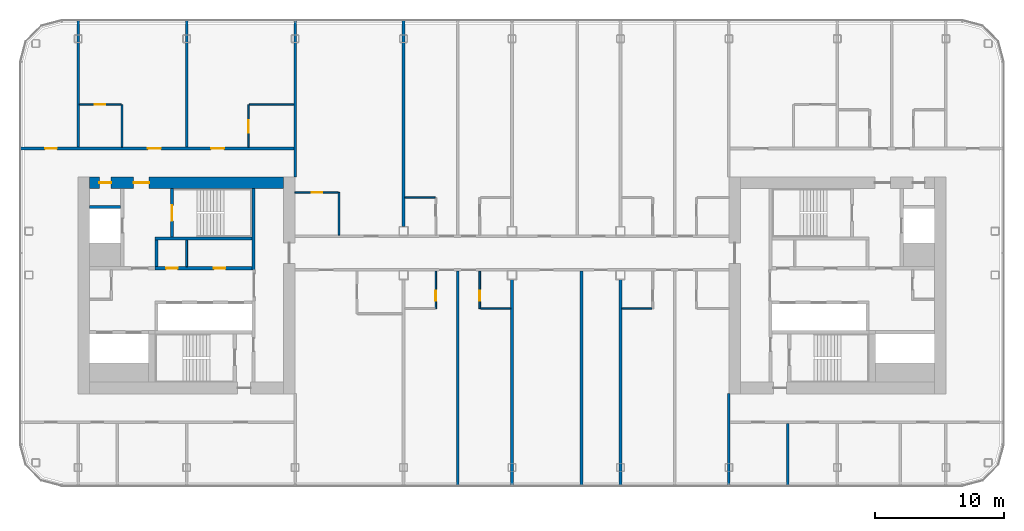
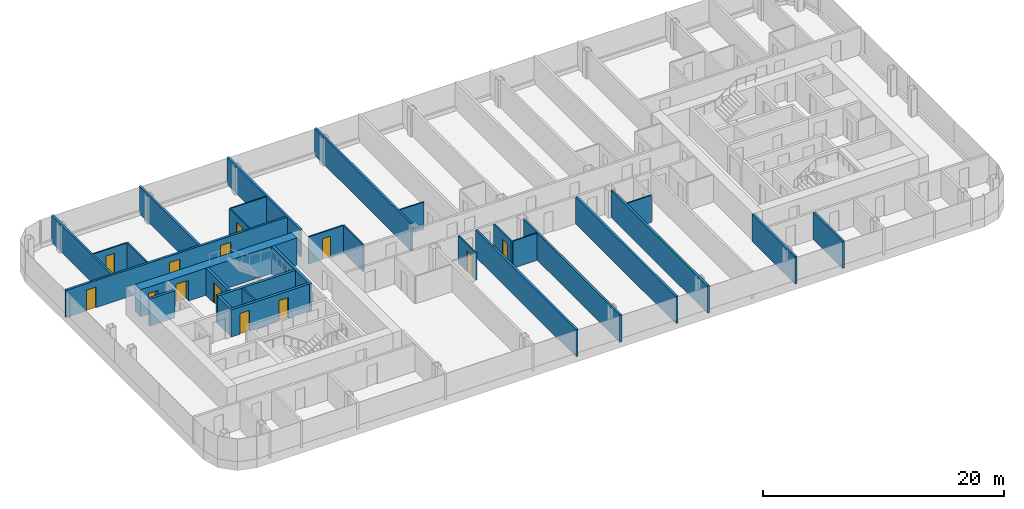
# One storey, part 14 of 26: 30 walls, 13 doors, 13 openings.
"""IFC4 building model written with IfcOpenShell, lengths in metres."""

from ifc_helpers import new_model, si_unit, direction, frame, frame_2d, origin, place, context, subcontext, project, spatial, rectangle, extrude, material, layer, layer_set, type_object, element, fill, save


model = new_model("IFC4")

# Units and contexts
model_context = context("Model", 3, precision=1e-05, world=origin(), true_north=direction((0.0, 1.0)))
body_context = subcontext(model_context, "Body", "Model", "MODEL_VIEW")
ifc_project = project(units=[si_unit("LENGTHUNIT", "METRE"), si_unit("AREAUNIT", "SQUARE_METRE"), si_unit("VOLUMEUNIT", "CUBIC_METRE"), si_unit("PLANEANGLEUNIT", "RADIAN"), si_unit("MASSUNIT", "GRAM", prefix="KILO")], contexts=[model_context])

# Site, building, storey
site_placement = place(None, origin())
site = spatial("IfcSite", under=ifc_project, at=site_placement, CompositionType="ELEMENT")
building_placement = place(site_placement, origin())
building = spatial("IfcBuilding", under=site, at=building_placement, Name="Hakoniwa Tower and Hamabe Station Hall", CompositionType="ELEMENT")
storey_placement = place(building_placement, frame((0.0, 0.0, 209.0)))
storey = spatial("IfcBuildingStorey", under=building, at=storey_placement, Name="L59", CompositionType="ELEMENT", Elevation=209.0)

# Walls
ifc_material_1 = material(Name="Gypsum board partition", Category="gypsum")
ifc_layer_1 = layer(ifc_material_1, 0.125)
ifc_layer_set_1 = layer_set([ifc_layer_1], Name="Bathroom Partition 125")
wall_type_1 = type_object("IfcWallType", Name="Bathroom Partition 125", PredefinedType="PARTITIONING", material=ifc_layer_set_1)
for number, where, z_axis, x_axis, name in (
    (1, (-2.4375, -1.800048828125, 0.0), (0.0, 0.0, 1.0), (1.0, 0.0, 0.0), "GW-L59-005"),
    (2, (8.5, -1.800048828125, 0.0), (0.0, 0.0, 1.0), (1.0, 0.0, 0.0), "GW-L59-006"),
):
    element("IfcWall", number, at=place(storey_placement, frame(where, z_axis=z_axis, x_axis=x_axis)), inside=storey, type_object=wall_type_1, Name=name, PredefinedType="PARTITIONING", context=body_context, shape_type="SweptSolid", body=[
        extrude(rectangle(XDim=2.33740234375, YDim=0.125, at=frame_2d((1.168701171875, 0.0))), origin(), (0.0, 0.0, 1.0), 2.75),
    ])
wall_1_placement = place(storey_placement, frame((-8.300048828125, 6.800048828125, 0.0), z_axis=(0.0, 0.0, 1.0), x_axis=(1.0, 0.0, 0.0)))
element("IfcWall", 3, at=wall_1_placement, inside=storey, type_object=wall_type_1, Name="GW-L59-010", PredefinedType="PARTITIONING", context=body_context, shape_type="SweptSolid", body=[
    extrude(rectangle(XDim=2.337646484375, YDim=0.125, at=frame_2d((1.1689453125, 0.0))), origin(), (0.0, 0.0, 1.0), 2.75),
])

# Wall, opening, door
wall_2_placement = place(storey_placement, frame((-16.81005859375, 7.199951171875, 0.0), z_axis=(0.0, 0.0, 1.0), x_axis=(1.0, 0.0, 0.0)))
wall_2 = element("IfcWall", 4, at=wall_2_placement, inside=storey, type_object=wall_type_1, Name="GW-L59-014", PredefinedType="PARTITIONING", context=body_context, shape_type="SweptSolid", body=[
    extrude(rectangle(XDim=3.34765625, YDim=0.125, at=frame_2d((1.673828125, 0.0))), origin(), (0.0, 0.0, 1.0), 2.75),
])
opening_1_placement = place(wall_2_placement, frame((1.31005859375, 0.0, 0.0)))
opening_1 = element("IfcOpeningElement", 5, at=opening_1_placement, cuts=wall_2, Name="Opening GD-G4C1-24", PredefinedType="OPENING", context=body_context, shape_type="SweptSolid", body=[
    extrude(rectangle(XDim=0.800048828125, YDim=2.10009765625, at=frame_2d((0.39990234375, 1.050048828125))), frame((0.0, 0.072509765625, 0.0), z_axis=(0.0, -1.0, 0.0), x_axis=(1.0, 0.0, 0.0)), (0.0, 0.0, 1.0), 0.14501953125),
])
ifc_material_2 = material(Name="Timber door leaf", Category="wood")
door_type_1 = type_object("IfcDoorType", Name="Bathroom Door 800", OperationType="SINGLE_SWING_LEFT", PredefinedType="DOOR", material=ifc_material_2)
door_1_placement = place(opening_1_placement, origin())
door_1 = element("IfcDoor", 6, at=door_1_placement, inside=storey, type_object=door_type_1, Name="Door GD-G4C1-24", OperationType="SINGLE_SWING_RIGHT", OverallHeight=2.10009765625, OverallWidth=0.800048828125, PredefinedType="DOOR", context=body_context, shape_type="SweptSolid", body=[
    extrude(rectangle(XDim=0.800048828125, YDim=2.10009765625, at=frame_2d((0.39990234375, 1.050048828125))), frame((0.0, 0.02490234375, 0.0), z_axis=(0.0, -1.0, 0.0), x_axis=(1.0, 0.0, 0.0)), (0.0, 0.0, 1.0), 0.050048828125),
])
fill(opening_1, door_1)

wall_3_placement = place(storey_placement, frame((-33.5, 14.0, 0.0), z_axis=(0.0, 0.0, 1.0), x_axis=(1.0, 0.0, 0.0)))
wall_3 = element("IfcWall", 7, at=wall_3_placement, inside=storey, type_object=wall_type_1, Name="GW-L59-019", PredefinedType="PARTITIONING", context=body_context, shape_type="SweptSolid", body=[
    extrude(rectangle(XDim=3.237548828125, YDim=0.125, at=frame_2d((1.61865234375, 0.0))), origin(), (0.0, 0.0, 1.0), 2.75),
])
opening_2_placement = place(wall_3_placement, frame((1.199951171875, 0.0, 0.0)))
opening_2 = element("IfcOpeningElement", 8, at=opening_2_placement, cuts=wall_3, Name="Opening GD-G4C1-32", PredefinedType="OPENING", context=body_context, shape_type="SweptSolid", body=[
    extrude(rectangle(XDim=0.800048828125, YDim=2.10009765625, at=frame_2d((0.39990234375, 1.050048828125))), frame((0.0, 0.072509765625, 0.0), z_axis=(0.0, -1.0, 0.0), x_axis=(1.0, 0.0, 0.0)), (0.0, 0.0, 1.0), 0.14501953125),
])
door_2_placement = place(opening_2_placement, origin())
door_2 = element("IfcDoor", 9, at=door_2_placement, inside=storey, type_object=door_type_1, Name="Door GD-G4C1-32", OperationType="SINGLE_SWING_LEFT", OverallHeight=2.10009765625, OverallWidth=0.800048828125, PredefinedType="DOOR", context=body_context, shape_type="SweptSolid", body=[
    extrude(rectangle(XDim=0.800048828125, YDim=2.10009765625, at=frame_2d((0.39990234375, 1.050048828125))), frame((0.0, 0.02490234375, 0.0), z_axis=(0.0, -1.0, 0.0), x_axis=(1.0, 0.0, 0.0)), (0.0, 0.0, 1.0), 0.050048828125),
])
fill(opening_2, door_2)

# Walls
wall_4_placement = place(storey_placement, frame((-20.33740234375, 14.0, 0.0), z_axis=(0.0, 0.0, 1.0), x_axis=(1.0, 0.0, 0.0)))
element("IfcWall", 10, at=wall_4_placement, inside=storey, type_object=wall_type_1, Name="GW-L59-020", PredefinedType="PARTITIONING", context=body_context, shape_type="SweptSolid", body=[
    extrude(rectangle(XDim=3.4375, YDim=0.125, at=frame_2d((1.71875, 0.0))), origin(), (0.0, 0.0, 1.0), 2.75),
])
wall_5_placement = place(storey_placement, frame((-30.199951171875, 10.699951171875, 0.0), z_axis=(0.0, 0.0, 1.0), x_axis=(0.0, 1.0, 0.0)))
element("IfcWall", 11, at=wall_5_placement, inside=storey, type_object=wall_type_1, Name="GW-L59-025", PredefinedType="PARTITIONING", context=body_context, shape_type="SweptSolid", body=[
    extrude(rectangle(XDim=3.300048828125, YDim=0.125, at=frame_2d((1.64990234375, 0.0))), origin(), (0.0, 0.0, 1.0), 2.75),
])

# Wall, opening, door
wall_6_placement = place(storey_placement, frame((-20.39990234375, 10.699951171875, 0.0), z_axis=(0.0, 0.0, 1.0), x_axis=(0.0, 1.0, 0.0)))
wall_6 = element("IfcWall", 12, at=wall_6_placement, inside=storey, type_object=wall_type_1, Name="GW-L59-028", PredefinedType="PARTITIONING", context=body_context, shape_type="SweptSolid", body=[
    extrude(rectangle(XDim=3.300048828125, YDim=0.125, at=frame_2d((1.64990234375, 0.0))), origin(), (0.0, 0.0, 1.0), 2.75),
])
opening_3_placement = place(wall_6_placement, frame((1.10009765625, 0.0, 0.0)))
opening_3 = element("IfcOpeningElement", 13, at=opening_3_placement, cuts=wall_6, Name="Opening GD-G4C1-34", PredefinedType="OPENING", context=body_context, shape_type="SweptSolid", body=[
    extrude(rectangle(XDim=1.0, YDim=2.10009765625, at=frame_2d((0.5, 1.050048828125))), frame((0.0, 0.072509765625, 0.0), z_axis=(0.0, -1.0, 0.0), x_axis=(1.0, 0.0, 0.0)), (0.0, 0.0, 1.0), 0.14501953125),
])
ifc_material_3 = material(Name="Timber door leaf", Category="wood")
door_type_2 = type_object("IfcDoorType", Name="Accessible Bathroom Door 1000", OperationType="SINGLE_SWING_LEFT", PredefinedType="DOOR", material=ifc_material_3)
door_3_placement = place(opening_3_placement, origin())
door_3 = element("IfcDoor", 14, at=door_3_placement, inside=storey, type_object=door_type_2, Name="Door GD-G4C1-34", OperationType="SINGLE_SWING_LEFT", OverallHeight=2.10009765625, OverallWidth=1.0, PredefinedType="DOOR", context=body_context, shape_type="SweptSolid", body=[
    extrude(rectangle(XDim=1.0, YDim=2.10009765625, at=frame_2d((0.5, 1.050048828125))), frame((0.0, 0.02490234375, 0.0), z_axis=(0.0, -1.0, 0.0), x_axis=(1.0, 0.0, 0.0)), (0.0, 0.0, 1.0), 0.050048828125),
])
fill(opening_3, door_3)

# Wall
wall_7_placement = place(storey_placement, frame((-13.39990234375, 3.89990234375, 0.0), z_axis=(0.0, 0.0, 1.0), x_axis=(0.0, 1.0, 0.0)))
element("IfcWall", 15, at=wall_7_placement, inside=storey, type_object=wall_type_1, Name="GW-L59-031", PredefinedType="PARTITIONING", context=body_context, shape_type="SweptSolid", body=[
    extrude(rectangle(XDim=3.300048828125, YDim=0.125, at=frame_2d((1.64990234375, 0.0))), origin(), (0.0, 0.0, 1.0), 2.75),
])

# Wall, opening, door
wall_8_placement = place(storey_placement, frame((-5.89990234375, -1.800048828125, 0.0), z_axis=(0.0, 0.0, 1.0), x_axis=(0.0, 1.0, 0.0)))
wall_8 = element("IfcWall", 16, at=wall_8_placement, inside=storey, type_object=wall_type_1, Name="GW-L59-035", PredefinedType="PARTITIONING", context=body_context, shape_type="SweptSolid", body=[
    extrude(rectangle(XDim=2.900146484375, YDim=0.125, at=frame_2d((1.4501953125, 0.0))), origin(), (0.0, 0.0, 1.0), 2.75),
])
opening_4_placement = place(wall_8_placement, frame((0.60009765625, 0.0, 0.0)))
opening_4 = element("IfcOpeningElement", 17, at=opening_4_placement, cuts=wall_8, Name="Opening GD-G4C1-36", PredefinedType="OPENING", context=body_context, shape_type="SweptSolid", body=[
    extrude(rectangle(XDim=0.800048828125, YDim=2.10009765625, at=frame_2d((0.39990234375, 1.050048828125))), frame((0.0, 0.072509765625, 0.0), z_axis=(0.0, -1.0, 0.0), x_axis=(1.0, 0.0, 0.0)), (0.0, 0.0, 1.0), 0.14501953125),
])
door_4_placement = place(opening_4_placement, origin())
door_4 = element("IfcDoor", 18, at=door_4_placement, inside=storey, type_object=door_type_1, Name="Door GD-G4C1-36", OperationType="SINGLE_SWING_RIGHT", OverallHeight=2.10009765625, OverallWidth=0.800048828125, PredefinedType="DOOR", context=body_context, shape_type="SweptSolid", body=[
    extrude(rectangle(XDim=0.800048828125, YDim=2.10009765625, at=frame_2d((0.39990234375, 1.050048828125))), frame((0.0, 0.02490234375, 0.0), z_axis=(0.0, -1.0, 0.0), x_axis=(1.0, 0.0, 0.0)), (0.0, 0.0, 1.0), 0.050048828125),
])
fill(opening_4, door_4)

wall_9_placement = place(storey_placement, frame((-2.5, -1.800048828125, 0.0), z_axis=(0.0, 0.0, 1.0), x_axis=(0.0, 1.0, 0.0)))
wall_9 = element("IfcWall", 19, at=wall_9_placement, inside=storey, type_object=wall_type_1, Name="GW-L59-039", PredefinedType="PARTITIONING", context=body_context, shape_type="SweptSolid", body=[
    extrude(rectangle(XDim=2.900146484375, YDim=0.125, at=frame_2d((1.4501953125, 0.0))), origin(), (0.0, 0.0, 1.0), 2.75),
])
opening_5_placement = place(wall_9_placement, frame((0.60009765625, 0.0, 0.0)))
opening_5 = element("IfcOpeningElement", 20, at=opening_5_placement, cuts=wall_9, Name="Opening GD-G4C1-38", PredefinedType="OPENING", context=body_context, shape_type="SweptSolid", body=[
    extrude(rectangle(XDim=0.800048828125, YDim=2.10009765625, at=frame_2d((0.39990234375, 1.050048828125))), frame((0.0, 0.072509765625, 0.0), z_axis=(0.0, -1.0, 0.0), x_axis=(1.0, 0.0, 0.0)), (0.0, 0.0, 1.0), 0.14501953125),
])
door_5_placement = place(opening_5_placement, origin())
door_5 = element("IfcDoor", 21, at=door_5_placement, inside=storey, type_object=door_type_1, Name="Door GD-G4C1-38", OperationType="SINGLE_SWING_LEFT", OverallHeight=2.10009765625, OverallWidth=0.800048828125, PredefinedType="DOOR", context=body_context, shape_type="SweptSolid", body=[
    extrude(rectangle(XDim=0.800048828125, YDim=2.10009765625, at=frame_2d((0.39990234375, 1.050048828125))), frame((0.0, 0.02490234375, 0.0), z_axis=(0.0, -1.0, 0.0), x_axis=(1.0, 0.0, 0.0)), (0.0, 0.0, 1.0), 0.050048828125),
])
fill(opening_5, door_5)

# Wall
ifc_material_4 = material(Name="Gypsum board partition")
ifc_layer_2 = layer(ifc_material_4, 0.14990234375)
ifc_layer_set_2 = layer_set([ifc_layer_2], Name="CORE PARTITION 150 EI 60")
wall_type_2 = type_object("IfcWallType", Name="CORE PARTITION 150 EI 60", PredefinedType="PARTITIONING", material=ifc_layer_set_2)
wall_10_placement = place(storey_placement, frame((-25.199951171875, 1.449951171875, 0.0), z_axis=(0.0, 0.0, 1.0), x_axis=(0.0, 1.0, 0.0)))
element("IfcWall", 22, at=wall_10_placement, inside=storey, type_object=wall_type_2, Name="Core partition PFLR0 west", PredefinedType="PARTITIONING", context=body_context, shape_type="SweptSolid", body=[
    extrude(rectangle(XDim=2.050048828125, YDim=0.14990234375, at=frame_2d((1.02490234375, 0.0))), origin(), (0.0, 0.0, 1.0), 2.75),
])

# Wall, openings, doors
ifc_material_5 = material(Name="Concrete C60", Category="concrete")
ifc_layer_3 = layer(ifc_material_5, 0.89990234375)
ifc_layer_set_3 = layer_set([ifc_layer_3], Name="CORE WALL 900 C60")
wall_type_3 = type_object("IfcWallType", Name="CORE WALL 900 C60", PredefinedType="SHEAR", material=ifc_layer_set_3)
wall_11_placement = place(storey_placement, frame((-32.699951171875, 7.949951171875, 0.0), z_axis=(0.0, 0.0, 1.0), x_axis=(1.0, 0.0, 0.0)))
wall_11 = element("IfcWall", 23, at=wall_11_placement, inside=storey, type_object=wall_type_3, Name="Core wall NORTH west", PredefinedType="SHEAR", context=body_context, shape_type="SweptSolid", body=[
    extrude(rectangle(XDim=15.0, YDim=0.89990234375, at=frame_2d((7.5, 0.0))), origin(), (0.0, 0.0, 1.0), 2.75),
])
opening_6_placement = place(wall_11_placement, frame((3.39990234375, 0.0, 0.0)))
opening_6 = element("IfcOpeningElement", 24, at=opening_6_placement, cuts=wall_11, Name="Opening CD-W-FN1-12", PredefinedType="OPENING", context=body_context, shape_type="SweptSolid", body=[
    extrude(rectangle(XDim=1.199951171875, YDim=2.10009765625, at=frame_2d((0.60009765625, 1.050048828125))), frame((0.0, 0.4599609375, 0.0), z_axis=(0.0, -1.0, 0.0), x_axis=(1.0, 0.0, 0.0)), (0.0, 0.0, 1.0), 0.919921875),
])
opening_7_placement = place(wall_11_placement, frame((0.75, 0.0, 0.0)))
opening_7 = element("IfcOpeningElement", 25, at=opening_7_placement, cuts=wall_11, Name="Opening CD-W-FN2-9", PredefinedType="OPENING", context=body_context, shape_type="SweptSolid", body=[
    extrude(rectangle(XDim=0.89990234375, YDim=2.10009765625, at=frame_2d((0.449951171875, 1.050048828125))), frame((0.0, 0.4599609375, 0.0), z_axis=(0.0, -1.0, 0.0), x_axis=(1.0, 0.0, 0.0)), (0.0, 0.0, 1.0), 0.919921875),
])
ifc_material_6 = material(Name="Steel fire door", Category="steel")
door_type_3 = type_object("IfcDoorType", Name="CORE DOOR 1200 FD60", OperationType="DOUBLE_DOOR_SINGLE_SWING", PredefinedType="DOOR", material=ifc_material_6)
door_6_placement = place(opening_6_placement, origin())
door_6 = element("IfcDoor", 26, at=door_6_placement, inside=storey, type_object=door_type_3, Name="Stair vestibule door to the fire-fighting lobby", OperationType="DOUBLE_DOOR_SINGLE_SWING", OverallHeight=2.10009765625, OverallWidth=1.199951171875, PredefinedType="DOOR", context=body_context, shape_type="SweptSolid", body=[
    extrude(rectangle(XDim=1.199951171875, YDim=2.10009765625, at=frame_2d((0.60009765625, 1.050048828125))), frame((0.0, 0.02490234375, 0.0), z_axis=(0.0, -1.0, 0.0), x_axis=(1.0, 0.0, 0.0)), (0.0, 0.0, 1.0), 0.050048828125),
])
fill(opening_6, door_6)
ifc_material_7 = material(Name="Steel fire door", Category="steel")
door_type_4 = type_object("IfcDoorType", Name="CORE DOOR 900 FD30", OperationType="NOTDEFINED", PredefinedType="DOOR", material=ifc_material_7)
door_7_placement = place(opening_7_placement, origin())
door_7 = element("IfcDoor", 27, at=door_7_placement, inside=storey, type_object=door_type_4, Name="Riser access door", OperationType="SINGLE_SWING_LEFT", OverallHeight=2.10009765625, OverallWidth=0.89990234375, PredefinedType="DOOR", context=body_context, shape_type="SweptSolid", body=[
    extrude(rectangle(XDim=0.89990234375, YDim=2.10009765625, at=frame_2d((0.449951171875, 1.050048828125))), frame((0.0, 0.02490234375, 0.0), z_axis=(0.0, -1.0, 0.0), x_axis=(1.0, 0.0, 0.0)), (0.0, 0.0, 1.0), 0.050048828125),
])
fill(opening_7, door_7)

# Wall
ifc_material_8 = material(Name="Concrete C60", Category="concrete")
ifc_layer_4 = layer(ifc_material_8, 0.25)
ifc_layer_set_4 = layer_set([ifc_layer_4], Name="CORE WEB WALL 250 C60")
wall_type_4 = type_object("IfcWallType", Name="CORE WEB WALL 250 C60", PredefinedType="SHEAR", material=ifc_layer_set_4)
wall_12_placement = place(storey_placement, frame((-20.02490234375, 1.199951171875, 0.0), z_axis=(0.0, 0.0, 1.0), x_axis=(0.0, 1.0, 0.0)))
element("IfcWall", 28, at=wall_12_placement, inside=storey, type_object=wall_type_4, Name="Core wall W1N west", PredefinedType="SHEAR", context=body_context, shape_type="SweptSolid", body=[
    extrude(rectangle(XDim=6.300048828125, YDim=0.25, at=frame_2d((3.14990234375, 0.0))), origin(), (0.0, 0.0, 1.0), 2.75),
])

# Wall, openings, doors
wall_13_placement = place(storey_placement, frame((-27.64990234375, 1.324951171875, 0.0), z_axis=(0.0, 0.0, 1.0), x_axis=(1.0, 0.0, 0.0)))
wall_13 = element("IfcWall", 29, at=wall_13_placement, inside=storey, type_object=wall_type_4, Name="Core wall NF west", PredefinedType="SHEAR", context=body_context, shape_type="SweptSolid", body=[
    extrude(rectangle(XDim=7.5, YDim=0.25, at=frame_2d((3.75, 0.0))), origin(), (0.0, 0.0, 1.0), 2.75),
])
opening_8_placement = place(wall_13_placement, frame((4.5625, 0.0, 0.0)))
opening_8 = element("IfcOpeningElement", 30, at=opening_8_placement, cuts=wall_13, Name="Opening CD-W-FRLR0-9", PredefinedType="OPENING", context=body_context, shape_type="SweptSolid", body=[
    extrude(rectangle(XDim=0.89990234375, YDim=2.10009765625, at=frame_2d((0.449951171875, 1.050048828125))), frame((0.0, 0.135009765625, 0.0), z_axis=(0.0, -1.0, 0.0), x_axis=(1.0, 0.0, 0.0)), (0.0, 0.0, 1.0), 0.27001953125),
])
opening_9_placement = place(wall_13_placement, frame((0.862548828125, 0.0, 0.0)))
opening_9 = element("IfcOpeningElement", 31, at=opening_9_placement, cuts=wall_13, Name="Opening CD-W-FRLR1-9", PredefinedType="OPENING", context=body_context, shape_type="SweptSolid", body=[
    extrude(rectangle(XDim=0.89990234375, YDim=2.10009765625, at=frame_2d((0.449951171875, 1.050048828125))), frame((0.0, 0.135009765625, 0.0), z_axis=(0.0, -1.0, 0.0), x_axis=(1.0, 0.0, 0.0)), (0.0, 0.0, 1.0), 0.27001953125),
])
door_8_placement = place(opening_8_placement, origin())
door_8 = element("IfcDoor", 32, at=door_8_placement, inside=storey, type_object=door_type_4, Name="Store room door", OperationType="SINGLE_SWING_RIGHT", OverallHeight=2.10009765625, OverallWidth=0.89990234375, PredefinedType="DOOR", context=body_context, shape_type="SweptSolid", body=[
    extrude(rectangle(XDim=0.89990234375, YDim=2.10009765625, at=frame_2d((0.449951171875, 1.050048828125))), frame((0.0, 0.02490234375, 0.0), z_axis=(0.0, -1.0, 0.0), x_axis=(1.0, 0.0, 0.0)), (0.0, 0.0, 1.0), 0.050048828125),
])
fill(opening_8, door_8)
door_9_placement = place(opening_9_placement, origin())
door_9 = element("IfcDoor", 33, at=door_9_placement, inside=storey, type_object=door_type_4, Name="Store room door", OperationType="SINGLE_SWING_LEFT", OverallHeight=2.10009765625, OverallWidth=0.89990234375, PredefinedType="DOOR", context=body_context, shape_type="SweptSolid", body=[
    extrude(rectangle(XDim=0.89990234375, YDim=2.10009765625, at=frame_2d((0.449951171875, 1.050048828125))), frame((0.0, 0.02490234375, 0.0), z_axis=(0.0, -1.0, 0.0), x_axis=(1.0, 0.0, 0.0)), (0.0, 0.0, 1.0), 0.050048828125),
])
fill(opening_9, door_9)

# Walls
wall_14_placement = place(storey_placement, frame((-27.52490234375, 1.449951171875, 0.0), z_axis=(0.0, 0.0, 1.0), x_axis=(0.0, 1.0, 0.0)))
element("IfcWall", 34, at=wall_14_placement, inside=storey, type_object=wall_type_4, Name="Core wall NE west", PredefinedType="SHEAR", context=body_context, shape_type="SweptSolid", body=[
    extrude(rectangle(XDim=2.050048828125, YDim=0.25, at=frame_2d((1.02490234375, 0.0))), origin(), (0.0, 0.0, 1.0), 2.75),
])
wall_15_placement = place(storey_placement, frame((-27.64990234375, 3.625, 0.0), z_axis=(0.0, 0.0, 1.0), x_axis=(1.0, 0.0, 0.0)))
element("IfcWall", 35, at=wall_15_placement, inside=storey, type_object=wall_type_4, Name="Core wall NR west", PredefinedType="SHEAR", context=body_context, shape_type="SweptSolid", body=[
    extrude(rectangle(XDim=7.5, YDim=0.25, at=frame_2d((3.75, 0.0))), origin(), (0.0, 0.0, 1.0), 2.75),
])

# Wall, opening, door
wall_16_placement = place(storey_placement, frame((-26.324951171875, 3.75, 0.0), z_axis=(0.0, 0.0, 1.0), x_axis=(0.0, 1.0, 0.0)))
wall_16 = element("IfcWall", 36, at=wall_16_placement, inside=storey, type_object=wall_type_4, Name="Core wall NSE west", PredefinedType="SHEAR", context=body_context, shape_type="SweptSolid", body=[
    extrude(rectangle(XDim=3.75, YDim=0.25, at=frame_2d((1.875, 0.0))), origin(), (0.0, 0.0, 1.0), 2.75),
])
opening_10_placement = place(wall_16_placement, frame((1.25, 0.0, 0.0)))
opening_10 = element("IfcOpeningElement", 37, at=opening_10_placement, cuts=wall_16, Name="Opening CD-W-SN-12", PredefinedType="OPENING", context=body_context, shape_type="SweptSolid", body=[
    extrude(rectangle(XDim=1.199951171875, YDim=2.10009765625, at=frame_2d((0.60009765625, 1.050048828125))), frame((0.0, 0.135009765625, 0.0), z_axis=(0.0, -1.0, 0.0), x_axis=(1.0, 0.0, 0.0)), (0.0, 0.0, 1.0), 0.27001953125),
])
door_10_placement = place(opening_10_placement, origin())
door_10 = element("IfcDoor", 38, at=door_10_placement, inside=storey, type_object=door_type_3, Name="Escape stair door", OperationType="DOUBLE_DOOR_SINGLE_SWING", OverallHeight=2.10009765625, OverallWidth=1.199951171875, PredefinedType="DOOR", context=body_context, shape_type="SweptSolid", body=[
    extrude(rectangle(XDim=1.199951171875, YDim=2.10009765625, at=frame_2d((0.60009765625, 1.050048828125))), frame((0.0, 0.02490234375, 0.0), z_axis=(0.0, -1.0, 0.0), x_axis=(1.0, 0.0, 0.0)), (0.0, 0.0, 1.0), 0.050048828125),
])
fill(opening_10, door_10)

# Wall
wall_17_placement = place(storey_placement, frame((-32.699951171875, 6.074951171875, 0.0), z_axis=(0.0, 0.0, 1.0), x_axis=(1.0, 0.0, 0.0)))
element("IfcWall", 39, at=wall_17_placement, inside=storey, type_object=wall_type_4, Name="Core wall C2 west", PredefinedType="SHEAR", context=body_context, shape_type="SweptSolid", body=[
    extrude(rectangle(XDim=2.39990234375, YDim=0.25, at=frame_2d((1.199951171875, 0.0))), origin(), (0.0, 0.0, 1.0), 2.75),
])

# Wall, openings, doors
ifc_material_9 = material(Name="Fire-rated gypsum board partition", Category="gypsum")
ifc_layer_5 = layer(ifc_material_9, 0.199951171875)
ifc_layer_set_5 = layer_set([ifc_layer_5], Name="Corridor Wall 200")
wall_type_5 = type_object("IfcWallType", Name="Corridor Wall 200", PredefinedType="PARTITIONING", material=ifc_layer_set_5)
wall_18_placement = place(storey_placement, frame((-38.10009765625, 10.60009765625, 0.0), z_axis=(0.0, 0.0, 1.0), x_axis=(1.0, 0.0, 0.0)))
wall_18 = element("IfcWall", 40, at=wall_18_placement, inside=storey, type_object=wall_type_5, Name="GW-L59-015", PredefinedType="PARTITIONING", context=body_context, shape_type="SweptSolid", body=[
    extrude(rectangle(XDim=21.300048828125, YDim=0.199951171875, at=frame_2d((10.64990234375, 0.0))), origin(), (0.0, 0.0, 1.0), 2.75),
])
opening_11_placement = place(wall_18_placement, frame((1.949951171875, 0.0, 0.0)))
opening_11 = element("IfcOpeningElement", 41, at=opening_11_placement, cuts=wall_18, Name="Opening GD-G4C1-25", PredefinedType="OPENING", context=body_context, shape_type="SweptSolid", body=[
    extrude(rectangle(XDim=0.89990234375, YDim=2.10009765625, at=frame_2d((0.449951171875, 1.050048828125))), frame((0.0, 0.10986328125, 0.0), z_axis=(0.0, -1.0, 0.0), x_axis=(1.0, 0.0, 0.0)), (0.0, 0.0, 1.0), 0.219970703125),
])
opening_12_placement = place(wall_18_placement, frame((9.89990234375, 0.0, 0.0)))
opening_12 = element("IfcOpeningElement", 42, at=opening_12_placement, cuts=wall_18, Name="Opening GD-G4C1-26", PredefinedType="OPENING", context=body_context, shape_type="SweptSolid", body=[
    extrude(rectangle(XDim=1.0, YDim=2.10009765625, at=frame_2d((0.5, 1.050048828125))), frame((0.0, 0.10986328125, 0.0), z_axis=(0.0, -1.0, 0.0), x_axis=(1.0, 0.0, 0.0)), (0.0, 0.0, 1.0), 0.219970703125),
])
opening_13_placement = place(wall_18_placement, frame((14.800048828125, 0.0, 0.0)))
opening_13 = element("IfcOpeningElement", 43, at=opening_13_placement, cuts=wall_18, Name="Opening GD-G4C1-27", PredefinedType="OPENING", context=body_context, shape_type="SweptSolid", body=[
    extrude(rectangle(XDim=1.0, YDim=2.10009765625, at=frame_2d((0.5, 1.050048828125))), frame((0.0, 0.10986328125, 0.0), z_axis=(0.0, -1.0, 0.0), x_axis=(1.0, 0.0, 0.0)), (0.0, 0.0, 1.0), 0.219970703125),
])
ifc_material_10 = material(Name="Timber door leaf", Category="wood")
door_type_5 = type_object("IfcDoorType", Name="Accessible Guest Entrance Door 1000", OperationType="SINGLE_SWING_LEFT", PredefinedType="DOOR", material=ifc_material_10)
door_11_placement = place(opening_13_placement, origin())
door_11 = element("IfcDoor", 44, at=door_11_placement, inside=storey, type_object=door_type_5, Name="Door GD-G4C1-27", OperationType="SINGLE_SWING_RIGHT", OverallHeight=2.10009765625, OverallWidth=1.0, PredefinedType="DOOR", context=body_context, shape_type="SweptSolid", body=[
    extrude(rectangle(XDim=1.0, YDim=2.10009765625, at=frame_2d((0.5, 1.050048828125))), frame((0.0, 0.02490234375, 0.0), z_axis=(0.0, -1.0, 0.0), x_axis=(1.0, 0.0, 0.0)), (0.0, 0.0, 1.0), 0.050048828125),
])
fill(opening_13, door_11)
ifc_material_11 = material(Name="Timber door leaf", Category="wood")
door_type_6 = type_object("IfcDoorType", Name="Guest Entrance Door 1000", OperationType="SINGLE_SWING_LEFT", PredefinedType="DOOR", material=ifc_material_11)
door_12_placement = place(opening_12_placement, origin())
door_12 = element("IfcDoor", 45, at=door_12_placement, inside=storey, type_object=door_type_6, Name="Door GD-G4C1-26", OperationType="SINGLE_SWING_LEFT", OverallHeight=2.10009765625, OverallWidth=1.0, PredefinedType="DOOR", context=body_context, shape_type="SweptSolid", body=[
    extrude(rectangle(XDim=1.0, YDim=2.10009765625, at=frame_2d((0.5, 1.050048828125))), frame((0.0, 0.02490234375, 0.0), z_axis=(0.0, -1.0, 0.0), x_axis=(1.0, 0.0, 0.0)), (0.0, 0.0, 1.0), 0.050048828125),
])
fill(opening_12, door_12)
ifc_material_12 = material(Name="Timber door leaf", Category="wood")
door_type_7 = type_object("IfcDoorType", Name="Service Door 900", OperationType="SINGLE_SWING_LEFT", PredefinedType="DOOR", material=ifc_material_12)
door_13_placement = place(opening_11_placement, origin())
door_13 = element("IfcDoor", 46, at=door_13_placement, inside=storey, type_object=door_type_7, Name="Door GD-G4C1-25", OperationType="SINGLE_SWING_LEFT", OverallHeight=2.10009765625, OverallWidth=0.89990234375, PredefinedType="DOOR", context=body_context, shape_type="SweptSolid", body=[
    extrude(rectangle(XDim=0.89990234375, YDim=2.10009765625, at=frame_2d((0.449951171875, 1.050048828125))), frame((0.0, 0.02490234375, 0.0), z_axis=(0.0, -1.0, 0.0), x_axis=(1.0, 0.0, 0.0)), (0.0, 0.0, 1.0), 0.050048828125),
])
fill(opening_11, door_13)

# Walls
ifc_material_13 = material(Name="Fire-rated gypsum board partition", Category="gypsum")
ifc_layer_6 = layer(ifc_material_13, 0.199951171875)
ifc_layer_set_6 = layer_set([ifc_layer_6], Name="Party Wall 200")
wall_type_6 = type_object("IfcWallType", Name="Party Wall 200", PredefinedType="PARTITIONING", material=ifc_layer_set_6)
for number, where, z_axis, x_axis, name in (
    (47, (-33.60009765625, 10.699951171875, 0.0), (0.0, 0.0, 1.0), (0.0, 1.0, 0.0), "GW-L59-023"),
    (48, (-25.199951171875, 10.699951171875, 0.0), (0.0, 0.0, 1.0), (0.0, 1.0, 0.0), "GW-L59-027"),
):
    element("IfcWall", number, at=place(storey_placement, frame(where, z_axis=z_axis, x_axis=x_axis)), inside=storey, type_object=wall_type_6, Name=name, PredefinedType="PARTITIONING", context=body_context, shape_type="SweptSolid", body=[
        extrude(rectangle(XDim=9.85009765625, YDim=0.199951171875, at=frame_2d((4.925048828125, 0.0))), origin(), (0.0, 0.0, 1.0), 2.75),
    ])
wall_19_placement = place(storey_placement, frame((-16.800048828125, 8.389892578125, 0.0), z_axis=(0.0, 0.0, 1.0), x_axis=(0.0, 1.0, 0.0)))
element("IfcWall", 49, at=wall_19_placement, inside=storey, type_object=wall_type_6, Name="GW-L59-030", PredefinedType="PARTITIONING", context=body_context, shape_type="SweptSolid", body=[
    extrude(rectangle(XDim=12.16015625, YDim=0.199951171875, at=frame_2d((6.080078125, 0.0))), origin(), (0.0, 0.0, 1.0), 2.75),
])
wall_20_placement = place(storey_placement, frame((-8.39990234375, 4.5400390625, 0.0), z_axis=(0.0, 0.0, 1.0), x_axis=(0.0, 1.0, 0.0)))
element("IfcWall", 50, at=wall_20_placement, inside=storey, type_object=wall_type_6, Name="GW-L59-034", PredefinedType="PARTITIONING", context=body_context, shape_type="SweptSolid", body=[
    extrude(rectangle(XDim=16.010009765625, YDim=0.199951171875, at=frame_2d((8.0048828125, 0.0))), origin(), (0.0, 0.0, 1.0), 2.75),
])
wall_21_placement = place(storey_placement, frame((-4.199951171875, -15.550048828125, 0.0), z_axis=(0.0, 0.0, 1.0), x_axis=(0.0, 1.0, 0.0)))
element("IfcWall", 51, at=wall_21_placement, inside=storey, type_object=wall_type_6, Name="GW-L59-037", PredefinedType="PARTITIONING", context=body_context, shape_type="SweptSolid", body=[
    extrude(rectangle(XDim=16.650146484375, YDim=0.199951171875, at=frame_2d((8.3251953125, 0.0))), origin(), (0.0, 0.0, 1.0), 2.75),
])
wall_22_placement = place(storey_placement, frame((0.0, -15.550048828125, 0.0), z_axis=(0.0, 0.0, 1.0), x_axis=(0.0, 1.0, 0.0)))
element("IfcWall", 52, at=wall_22_placement, inside=storey, type_object=wall_type_6, Name="GW-L59-041", PredefinedType="PARTITIONING", context=body_context, shape_type="SweptSolid", body=[
    extrude(rectangle(XDim=16.010009765625, YDim=0.199951171875, at=frame_2d((8.0048828125, 0.0))), origin(), (0.0, 0.0, 1.0), 2.75),
])
wall_23_placement = place(storey_placement, frame((5.3798828125, -15.550048828125, 0.0), z_axis=(0.0, 0.0, 1.0), x_axis=(0.0, 1.0, 0.0)))
element("IfcWall", 53, at=wall_23_placement, inside=storey, type_object=wall_type_6, Name="GW-L59-044", PredefinedType="PARTITIONING", context=body_context, shape_type="SweptSolid", body=[
    extrude(rectangle(XDim=16.650146484375, YDim=0.199951171875, at=frame_2d((8.3251953125, 0.0))), origin(), (0.0, 0.0, 1.0), 2.75),
])
wall_24_placement = place(storey_placement, frame((8.39990234375, -15.550048828125, 0.0), z_axis=(0.0, 0.0, 1.0), x_axis=(0.0, 1.0, 0.0)))
element("IfcWall", 54, at=wall_24_placement, inside=storey, type_object=wall_type_6, Name="GW-L59-045", PredefinedType="PARTITIONING", context=body_context, shape_type="SweptSolid", body=[
    extrude(rectangle(XDim=16.010009765625, YDim=0.199951171875, at=frame_2d((8.0048828125, 0.0))), origin(), (0.0, 0.0, 1.0), 2.75),
])
wall_25_placement = place(storey_placement, frame((16.800048828125, -15.550048828125, 0.0), z_axis=(0.0, 0.0, 1.0), x_axis=(0.0, 1.0, 0.0)))
element("IfcWall", 55, at=wall_25_placement, inside=storey, type_object=wall_type_6, Name="GW-L59-053", PredefinedType="PARTITIONING", context=body_context, shape_type="SweptSolid", body=[
    extrude(rectangle(XDim=7.16015625, YDim=0.199951171875, at=frame_2d((3.580078125, 0.0))), origin(), (0.0, 0.0, 1.0), 2.75),
])
wall_26_placement = place(storey_placement, frame((21.340087890625, -15.550048828125, 0.0), z_axis=(0.0, 0.0, 1.0), x_axis=(0.0, 1.0, 0.0)))
element("IfcWall", 56, at=wall_26_placement, inside=storey, type_object=wall_type_6, Name="GW-L59-055", PredefinedType="PARTITIONING", context=body_context, shape_type="SweptSolid", body=[
    extrude(rectangle(XDim=4.85009765625, YDim=0.199951171875, at=frame_2d((2.425048828125, 0.0))), origin(), (0.0, 0.0, 1.0), 2.75),
])

save(model, "model.ifc")
